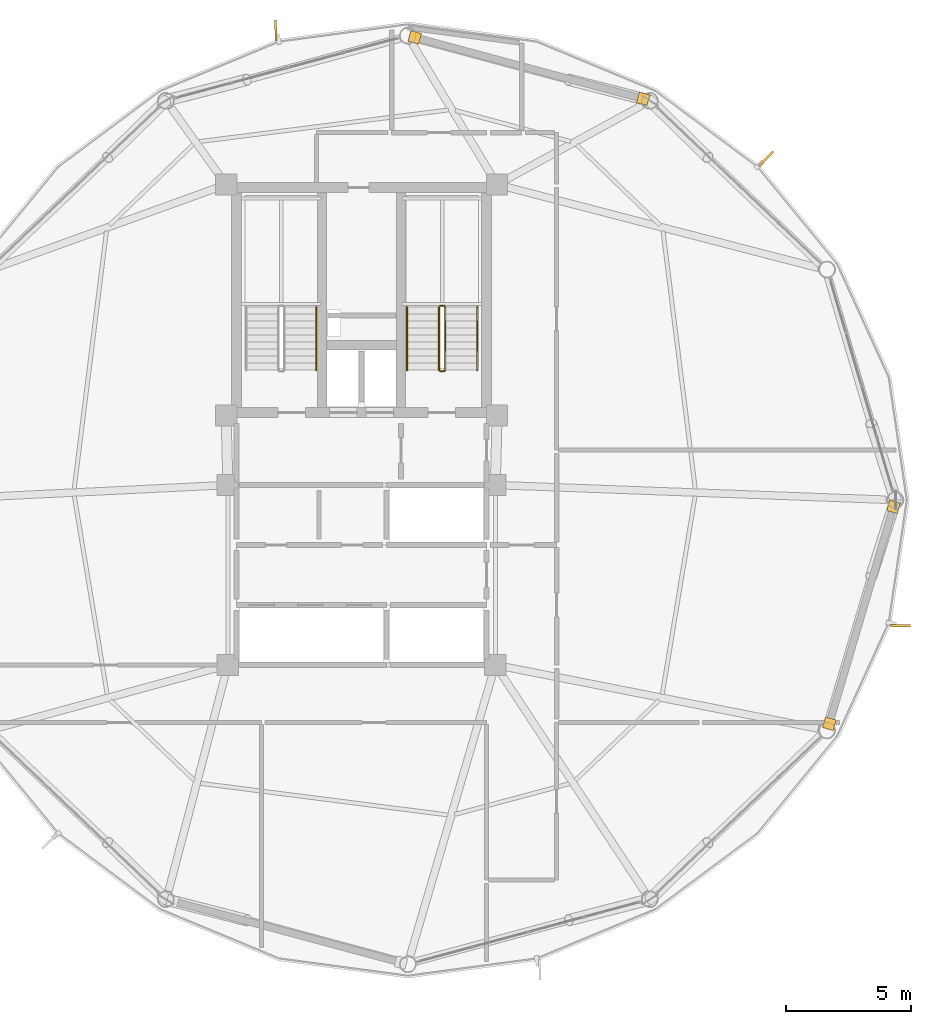
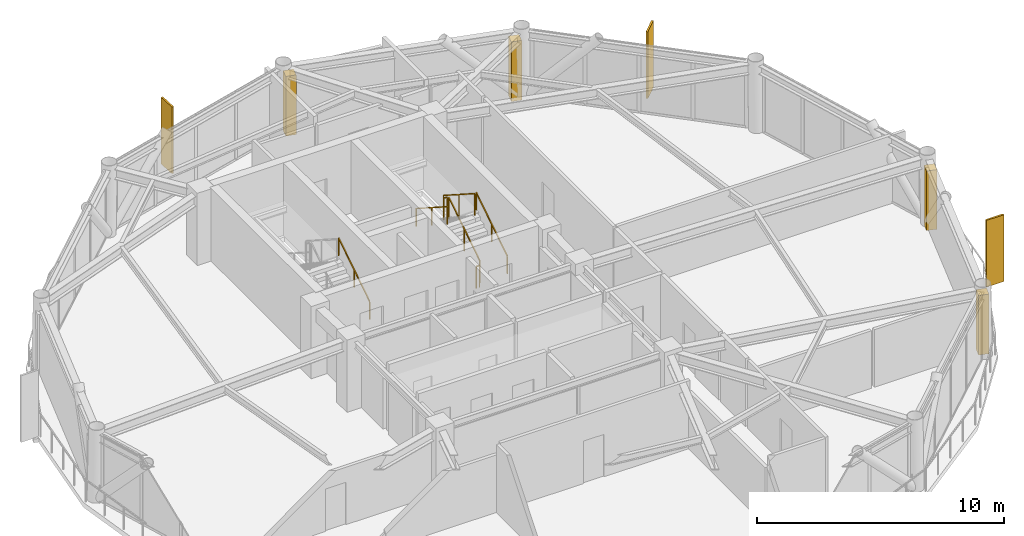
# One storey, part 28 of 28: 7 railings, 4 coverings, 3 shading devices.
"""IFC4 building model written with IfcOpenShell, lengths in metres."""

from ifc_helpers import new_model, si_unit, direction, frame, origin, origin_2d, place, context, subcontext, project, spatial, rectangle, extrude, source, transform, mapped, material, layer, layer_set, type_object, type_shapes, element, save


model = new_model("IFC4")

# Units and contexts
model_context = context("Model", 3, precision=1e-05, world=origin(), true_north=direction((0.0, 1.0)))
body_context = subcontext(model_context, "Body", "Model", "MODEL_VIEW")
ifc_project = project(units=[si_unit("LENGTHUNIT", "METRE"), si_unit("AREAUNIT", "SQUARE_METRE"), si_unit("VOLUMEUNIT", "CUBIC_METRE"), si_unit("PLANEANGLEUNIT", "RADIAN"), si_unit("MASSUNIT", "GRAM", prefix="KILO")], contexts=[model_context])

# Site, building, storey
site_placement = place(None, origin())
site = spatial("IfcSite", under=ifc_project, at=site_placement, CompositionType="ELEMENT")
building_placement = place(site_placement, origin())
building = spatial("IfcBuilding", under=site, at=building_placement, Name="Varnakorn Sky Granary", CompositionType="ELEMENT")
storey_placement = place(building_placement, frame((0.0, 0.0, 193.199951171875)))
storey = spatial("IfcBuildingStorey", under=building, at=storey_placement, Name="L48", CompositionType="ELEMENT", Elevation=193.199951171875)

# Railings
ifc_material_1 = material(Name="Brushed Stainless Steel 316", Category="steel")
railing_type_1 = type_object("IfcRailingType", Name="RL-STAIR-1100", PredefinedType="GUARDRAIL", material=ifc_material_1)
railing_1_placement = place(storey_placement, frame((6.35009765625, 5.199951171875, 0.179931640625)))
element("IfcRailing", 1, at=railing_1_placement, inside=storey, type_object=railing_type_1, Name="L48 ST-2 stair guard 1", PredefinedType="GUARDRAIL", context=body_context, shape_type="SweptSolid", body=[
    extrude(rectangle(XDim=0.048095703125, YDim=0.048095703125, at=origin_2d()), frame((0.0, 0.0, 1.076171875), z_axis=(0.0, 0.841162588446, 0.540782303519), x_axis=(-1.0, 0.0, 0.0)), (0.0, 0.0, 1.0), 2.995849609375),
    extrude(rectangle(XDim=0.0419921875, YDim=0.0419921875, at=origin_2d()), origin(), (0.0, 0.0, 1.0), 1.048095703125),
    extrude(rectangle(XDim=0.0419921875, YDim=0.0419921875, at=origin_2d()), frame((0.0, 1.260009765625, 0.81005859375)), (0.0, 0.0, 1.0), 1.048095703125),
    extrude(rectangle(XDim=0.0419921875, YDim=0.0419921875, at=origin_2d()), frame((0.0, 2.52001953125, 1.6201171875)), (0.0, 0.0, 1.0), 1.048095703125),
])
railing_2_placement = place(storey_placement, frame((6.300048828125, 7.77001953125, 1.800048828125)))
element("IfcRailing", 2, at=railing_2_placement, inside=storey, type_object=railing_type_1, Name="L48 ST-2 stair guard 2", PredefinedType="GUARDRAIL", context=body_context, shape_type="SweptSolid", body=[
    extrude(rectangle(XDim=0.048095703125, YDim=0.048095703125, at=origin_2d()), frame((0.0, 0.0, 1.076171875), z_axis=(-1.0, 0.0, 0.0), x_axis=(0.0, -1.0, 0.0)), (0.0, 0.0, 1.0), 0.150146484375),
    extrude(rectangle(XDim=0.0419921875, YDim=0.0419921875, at=origin_2d()), origin(), (0.0, 0.0, 1.0), 1.048095703125),
    extrude(rectangle(XDim=0.0419921875, YDim=0.0419921875, at=origin_2d()), frame((-0.150146484375, 0.0, 0.0)), (0.0, 0.0, 1.0), 1.048095703125),
])
railing_3_placement = place(storey_placement, frame((6.10009765625, 7.719970703125, 1.97998046875)))
element("IfcRailing", 3, at=railing_3_placement, inside=storey, type_object=railing_type_1, Name="L48 ST-2 stair guard 3", PredefinedType="GUARDRAIL", context=body_context, shape_type="SweptSolid", body=[
    extrude(rectangle(XDim=0.048095703125, YDim=0.048095703125, at=origin_2d()), frame((0.0, 0.0, 1.076171875), z_axis=(0.0, -0.841162588446, 0.540782303519), x_axis=(1.0, 0.0, 0.0)), (0.0, 0.0, 1.0), 2.995849609375),
    extrude(rectangle(XDim=0.0419921875, YDim=0.0419921875, at=origin_2d()), origin(), (0.0, 0.0, 1.0), 1.048095703125),
    extrude(rectangle(XDim=0.0419921875, YDim=0.0419921875, at=origin_2d()), frame((0.0, -1.260009765625, 0.81005859375)), (0.0, 0.0, 1.0), 1.048095703125),
    extrude(rectangle(XDim=0.0419921875, YDim=0.0419921875, at=origin_2d()), frame((0.0, -2.52001953125, 1.6201171875)), (0.0, 0.0, 1.0), 1.048095703125),
])
railing_4_placement = place(storey_placement, frame((6.300048828125, 5.14990234375, 0.0)))
element("IfcRailing", 4, at=railing_4_placement, inside=storey, type_object=railing_type_1, Name="L48 ST-2 stair guard 4", PredefinedType="GUARDRAIL", context=body_context, shape_type="SweptSolid", body=[
    extrude(rectangle(XDim=0.048095703125, YDim=0.048095703125, at=origin_2d()), frame((0.0, 0.0, 1.076171875), z_axis=(-1.0, 0.0, 0.0), x_axis=(0.0, -1.0, 0.0)), (0.0, 0.0, 1.0), 0.150146484375),
    extrude(rectangle(XDim=0.0419921875, YDim=0.0419921875, at=origin_2d()), origin(), (0.0, 0.0, 1.0), 1.048095703125),
    extrude(rectangle(XDim=0.0419921875, YDim=0.0419921875, at=origin_2d()), frame((-0.150146484375, 0.0, 0.0)), (0.0, 0.0, 1.0), 1.048095703125),
])
railing_type_2 = type_object("IfcRailingType", Name="RL-STAIR-920", PredefinedType="HANDRAIL", material=ifc_material_1)
for number, where, name in (
    (5, (1.18994140625, 5.199951171875, 0.179931640625), "L48 ST-1 stair handrail 1"),
    (6, (7.6298828125, 5.199951171875, 0.179931640625), "L48 ST-2 stair handrail 1"),
):
    element("IfcRailing", number, at=place(storey_placement, frame(where)), inside=storey, type_object=railing_type_2, Name=name, PredefinedType="HANDRAIL", context=body_context, shape_type="SweptSolid", body=[
        extrude(rectangle(XDim=0.048095703125, YDim=0.048095703125, at=origin_2d()), frame((0.0, 0.0, 0.8759765625), z_axis=(0.0, 0.841162588446, 0.540782303519), x_axis=(-1.0, 0.0, 0.0)), (0.0, 0.0, 1.0), 2.995849609375),
        extrude(rectangle(XDim=0.0419921875, YDim=0.0419921875, at=origin_2d()), origin(), (0.0, 0.0, 1.0), 0.847900390625),
        extrude(rectangle(XDim=0.0419921875, YDim=0.0419921875, at=origin_2d()), frame((0.0, 1.260009765625, 0.81005859375)), (0.0, 0.0, 1.0), 0.847900390625),
        extrude(rectangle(XDim=0.0419921875, YDim=0.0419921875, at=origin_2d()), frame((0.0, 2.52001953125, 1.6201171875)), (0.0, 0.0, 1.0), 0.847900390625),
    ])
railing_5_placement = place(storey_placement, frame((4.820068359375, 7.719970703125, 1.97998046875)))
element("IfcRailing", 7, at=railing_5_placement, inside=storey, type_object=railing_type_2, Name="L48 ST-2 stair handrail 2", PredefinedType="HANDRAIL", context=body_context, shape_type="SweptSolid", body=[
    extrude(rectangle(XDim=0.048095703125, YDim=0.048095703125, at=origin_2d()), frame((0.0, 0.0, 0.8759765625), z_axis=(0.0, -0.841162588446, 0.540782303519), x_axis=(1.0, 0.0, 0.0)), (0.0, 0.0, 1.0), 2.995849609375),
    extrude(rectangle(XDim=0.0419921875, YDim=0.0419921875, at=origin_2d()), origin(), (0.0, 0.0, 1.0), 0.847900390625),
    extrude(rectangle(XDim=0.0419921875, YDim=0.0419921875, at=origin_2d()), frame((0.0, -1.260009765625, 0.81005859375)), (0.0, 0.0, 1.0), 0.847900390625),
    extrude(rectangle(XDim=0.0419921875, YDim=0.0419921875, at=origin_2d()), frame((0.0, -2.52001953125, 1.6201171875)), (0.0, 0.0, 1.0), 0.847900390625),
])

# Shading devices
ifc_material_2 = material(Name="Anodised Bronze Aluminium Alloy 6063-T6", Category="aluminium")
shading_device_type = type_object("IfcShadingDeviceType", Name="SH-FIN-02", PredefinedType="USERDEFINED", material=ifc_material_2)
shared_shape_1 = source(origin(), body_context, "Body", "SweptSolid", [
    extrude(rectangle(XDim=0.0849609375, YDim=0.820068359375, at=origin_2d()), origin(), (0.0, 0.0, 1.0), 3.300048828125),
])
type_shapes(shading_device_type, [shared_shape_1])
for number, where, z_axis, x_axis, name in (
    (8, (19.177734375, 13.653564453125, -0.0400390625), (0.0, 0.0, 1.0), (-0.699541656098, 0.71459182152, 0.0), "Bronze Solar-Tracking Vertical Blade FIN L48-02"),
    (9, (-0.43212890625, 18.79150390625, -0.0400390625), (0.0, 0.0, 1.0), (-0.999364086936, -0.035657001306, 0.0), "Bronze Solar-Tracking Vertical Blade FIN L48-04"),
    (10, (24.54296875, -5.030029296875, -0.0400390625), (0.0, 0.0, 1.0), (0.005032615408, 0.999987336311, 0.0), "Bronze Solar-Tracking Vertical Blade FIN L48-12"),
):
    element("IfcShadingDevice", number, at=place(storey_placement, frame(where, z_axis=z_axis, x_axis=x_axis)), inside=storey, type_object=shading_device_type, Name=name, ObjectType="FIN", PredefinedType="USERDEFINED", context=body_context, shape_type="MappedRepresentation", body=[
        mapped(shared_shape_1, transform((0.0, 0.0, 0.0), x_axis=(1.0, 0.0, 0.0), y_axis=(0.0, 1.0, 0.0), z_axis=(0.0, 0.0, 1.0), scale=1.0)),
    ])

# Coverings
ifc_layer = layer(ifc_material_2, 0.050048828125, Name="Anodised Bronze Aluminium Alloy 6063-T6")
ifc_layer_set = layer_set([ifc_layer], Name="Anodised Bronze Aluminium Alloy 6063-T6")
covering_type = type_object("IfcCoveringType", Name="CV-CLAD-50", PredefinedType="CLADDING", material=ifc_layer_set)
shared_shape_2 = source(origin(), body_context, "Body", "SweptSolid", [
    extrude(rectangle(XDim=0.43994140625, YDim=0.43994140625, at=origin_2d()), origin(), (0.0, 0.0, 1.0), 2.949951171875),
])
type_shapes(covering_type, [shared_shape_2])
for number, where, z_axis, x_axis, name in (
    (11, (5.125244140625, 18.507080078125, -0.02001953125), (0.0, 0.0, 1.0), (0.96565426204, -0.259830418164, 0.0), "Bronze Corner Pilaster Closure L48-P03-A"),
    (12, (14.2626953125, 16.048583984375, -0.02001953125), (0.0, 0.0, 1.0), (0.96565426204, -0.259830418164, 0.0), "Bronze Corner Pilaster Closure L48-P03-B"),
    (13, (24.280029296875, -0.273193359375, -0.02001953125), (0.0, 0.0, 1.0), (-0.283847994766, -0.958869290293, 0.0), "Bronze Corner Pilaster Closure L48-P12-A"),
    (14, (21.7109375, -8.94970703125, -0.02001953125), (0.0, 0.0, 1.0), (-0.283847994766, -0.958869290293, 0.0), "Bronze Corner Pilaster Closure L48-P12-B"),
):
    element("IfcCovering", number, at=place(storey_placement, frame(where, z_axis=z_axis, x_axis=x_axis)), inside=storey, type_object=covering_type, Name=name, PredefinedType="CLADDING", context=body_context, shape_type="MappedRepresentation", body=[
        mapped(shared_shape_2, transform((0.0, 0.0, 0.0), x_axis=(1.0, 0.0, 0.0), y_axis=(0.0, 1.0, 0.0), z_axis=(0.0, 0.0, 1.0), scale=1.0)),
    ])

save(model, "model.ifc")
